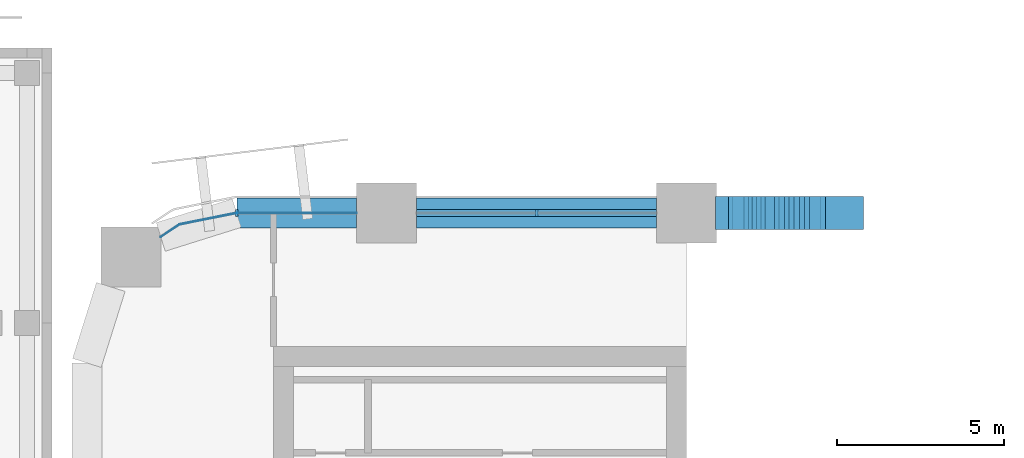
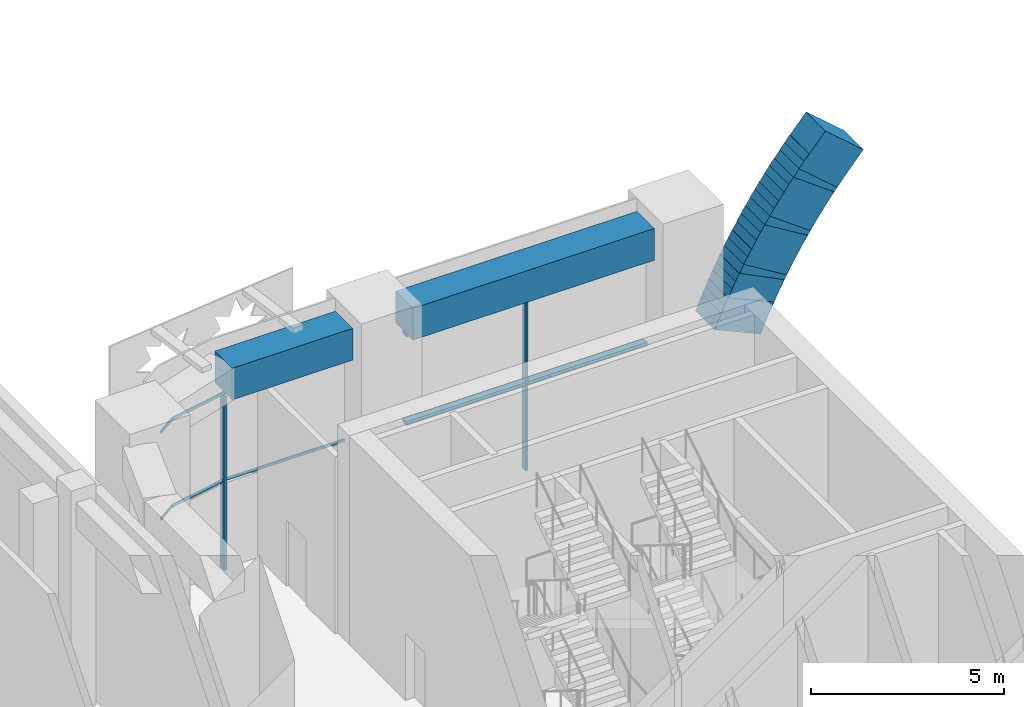
# One storey, part 8 of 42: 14 members, 2 beams, 2 elements without a shape of their own.
"""IFC4 building model written with IfcOpenShell, lengths in metres."""

import ifcopenshell
import ifcopenshell.guid

model = None  # the IFC model being written
_history = None  # IfcOwnerHistory: only IFC2X3 demands one
_inside = {}  # id of a spatial element -> (the spatial element, [elements in it])
_under = {}  # id of a project, library or spatial element -> (it, [spatial elements below it])
_declared = {}  # id of a project -> (the project, [libraries it declares])
_typed = {}  # id of a type object -> (the type object, [elements of that type])
_made_of = {}  # id of a material, layer set ... -> (it, [elements and type objects made of it])


def new_model(schema):
    """Start an empty IFC model of exactly this schema.

    Asked for "IFC4X3", IfcOpenShell would pick the latest addendum, in which some entities
    have other attributes; the version numbers below select the first issue.
    IFC2X3 requires an IfcOwnerHistory on every rooted entity: one is made here for all.
    """
    global model, _history
    if schema == "IFC4X3":
        model = ifcopenshell.file(schema_version=(4, 3, 0, 0))
    else:
        model = ifcopenshell.file(schema=schema)
    _inside.clear()
    _under.clear()
    _declared.clear()
    _typed.clear()
    _made_of.clear()
    _history = None
    if model.schema == "IFC2X3":
        org = make("IfcOrganization", Name="unknown")
        user = make(
            "IfcPersonAndOrganization",
            ThePerson=make("IfcPerson", FamilyName="unknown"),
            TheOrganization=org,
        )
        app = make(
            "IfcApplication",
            ApplicationDeveloper=org,
            Version="unknown",
            ApplicationFullName="unknown",
            ApplicationIdentifier="unknown",
        )
        _history = make(
            "IfcOwnerHistory",
            OwningUser=user,
            OwningApplication=app,
            ChangeAction="ADDED",
            CreationDate=0,
        )
    return model


def make(cls, **values):
    """One entity of the class cls with the attributes given. An attribute that is None is left unset."""
    return model.create_entity(
        cls, **{name: value for name, value in values.items() if value is not None}
    )


def rooted(cls, **values):
    """An entity with a GlobalId (a new one), such as an element, a storey or a relation."""
    return make(cls, GlobalId=ifcopenshell.guid.new(), OwnerHistory=_history, **values)


def si_unit(unit_type, name, prefix=None):
    """IfcSIUnit, for example si_unit("LENGTHUNIT", "METRE", prefix="MILLI")."""
    return make("IfcSIUnit", UnitType=unit_type, Prefix=prefix, Name=name)


def assignment(units):
    """IfcUnitAssignment: the units of a project."""
    return None if units is None else make("IfcUnitAssignment", Units=units)


def point(xyz):
    """IfcCartesianPoint."""
    return None if xyz is None else make("IfcCartesianPoint", Coordinates=xyz)


def direction(xyz):
    """IfcDirection."""
    return None if xyz is None else make("IfcDirection", DirectionRatios=xyz)


def frame(location, z_axis=None, x_axis=None):
    """IfcAxis2Placement3D, a coordinate frame: its origin and axes. An axis left out is left unset."""
    return make(
        "IfcAxis2Placement3D",
        Location=point(location),
        Axis=direction(z_axis),
        RefDirection=direction(x_axis),
    )


def frame_2d(location, x_axis=None):
    """IfcAxis2Placement2D, a coordinate frame in the plane: its origin and x axis."""
    return make(
        "IfcAxis2Placement2D", Location=point(location), RefDirection=direction(x_axis)
    )


def origin():
    """The frame at (0, 0, 0) with its axes left unset."""
    return frame((0.0, 0.0, 0.0))


def origin_2d():
    """The frame at (0, 0) in the plane with its x axis left unset."""
    return frame_2d((0.0, 0.0))


def place(relative_to, where):
    """IfcLocalPlacement: puts the frame where relative to a parent placement (None: the world)."""
    return make(
        "IfcLocalPlacement", PlacementRelTo=relative_to, RelativePlacement=where
    )


def context(
    kind, dimensions, precision=None, world=None, true_north=None, identifier=None
):
    """IfcGeometricRepresentationContext, for example the 3D "Model" context."""
    return make(
        "IfcGeometricRepresentationContext",
        ContextIdentifier=identifier,
        ContextType=kind,
        CoordinateSpaceDimension=dimensions,
        Precision=precision,
        WorldCoordinateSystem=world,
        TrueNorth=true_north,
    )


def subcontext(parent, identifier, kind, view, scale=None):
    """IfcGeometricRepresentationSubContext, for example "Body" below "Model"."""
    return make(
        "IfcGeometricRepresentationSubContext",
        ContextIdentifier=identifier,
        ContextType=kind,
        ParentContext=parent,
        TargetScale=scale,
        TargetView=view,
    )


def project(units=None, contexts=None):
    """IfcProject with its units and contexts."""
    return rooted(
        "IfcProject",
        Name="project",
        RepresentationContexts=contexts,
        UnitsInContext=assignment(units),
    )


def spatial(cls, under=None, at=None, **own):
    """A site, building, storey or space (cls), placed at a placement, below another one or the project."""
    s = rooted(cls, ObjectPlacement=at, **own)
    if under is not None:
        _under.setdefault(under.id(), (under, []))[1].append(s)
    return s


def polyline(points):
    """IfcPolyline through the points."""
    return make("IfcPolyline", Points=[point(p) for p in points])


def profile(cls, at=None, kind="AREA", **sizes):
    """A parametric profile (cls). Its sizes go by their IFC names, for example OverallWidth=200.0."""
    return make(cls, ProfileType=kind, Position=at, **sizes)


def rectangle(**sizes):
    """IfcRectangleProfileDef."""
    return profile("IfcRectangleProfileDef", **sizes)


def outline(outer, holes=None, kind="AREA"):
    """IfcArbitraryClosedProfileDef: a profile drawn as a closed curve; with holes, ...WithVoids."""
    if holes is None:
        return make("IfcArbitraryClosedProfileDef", ProfileType=kind, OuterCurve=outer)
    return make(
        "IfcArbitraryProfileDefWithVoids",
        ProfileType=kind,
        OuterCurve=outer,
        InnerCurves=holes,
    )


def extrude(swept, where, along, depth):
    """IfcExtrudedAreaSolid: the profile swept, set in the frame where, extruded along a direction by depth."""
    return make(
        "IfcExtrudedAreaSolid",
        SweptArea=swept,
        Position=where,
        ExtrudedDirection=direction(along),
        Depth=depth,
    )


def shape(context_of_items, identifier, shape_type, items):
    """IfcShapeRepresentation: the items that make up one representation, for example the "Body"."""
    return make(
        "IfcShapeRepresentation",
        ContextOfItems=context_of_items,
        RepresentationIdentifier=identifier,
        RepresentationType=shape_type,
        Items=items,
    )


def material(Name=None, Category=None):
    """IfcMaterial."""
    return make("IfcMaterial", Name=Name, Category=Category)


def material_profile(
    of_material, cross_section, Name=None, Category=None, Priority=None
):
    """IfcMaterialProfile: a cross section and its material."""
    return make(
        "IfcMaterialProfile",
        Name=Name,
        Material=of_material,
        Profile=cross_section,
        Priority=Priority,
        Category=Category,
    )


def profile_set(profiles, Name=None, composite=None):
    """IfcMaterialProfileSet."""
    return make(
        "IfcMaterialProfileSet",
        Name=Name,
        MaterialProfiles=profiles,
        CompositeProfile=composite,
    )


def made_of(thing, what):
    """Note that an element or type object is made of a material, layer set ...; save() writes the relation."""
    if what is not None:
        _made_of.setdefault(what.id(), (what, []))[1].append(thing)
    return thing


def type_object(cls, material=None, **own):
    """A type object (cls), such as IfcWallType, which elements share."""
    return made_of(rooted(cls, **own), material)


def element(
    cls,
    number,
    at=None,
    inside=None,
    cuts=None,
    type_object=None,
    material=None,
    context=None,
    identifier="Body",
    shape_type=None,
    held_by="IfcProductDefinitionShape",
    body=None,
    shapes=None,
    **own,
):
    """One element of the class cls, such as IfcWall. Its Tag is "e" and its number.

    at: its placement. inside: the storey or other place that contains it. cuts: it is an
    opening in that element (IfcRelVoidsElement). A single representation is given by context,
    identifier, shape_type and body (its items); several are given by shapes. held_by: the class
    of the entity that holds the representations. save() writes the other relations.
    """
    e = rooted(cls, Tag="e%d" % number, ObjectPlacement=at, **own)
    if body is not None:
        shapes = [shape(context, identifier, shape_type, body)]
    if shapes is not None:
        e.Representation = make(held_by, Representations=shapes)
    if inside is not None:
        _inside.setdefault(inside.id(), (inside, []))[1].append(e)
    if cuts is not None:
        rooted(
            "IfcRelVoidsElement", RelatingBuildingElement=cuts, RelatedOpeningElement=e
        )
    if type_object is not None:
        _typed.setdefault(type_object.id(), (type_object, []))[1].append(e)
    return made_of(e, material)


def aggregate(whole, parts):
    """IfcRelAggregates: a whole, such as a stair, and the parts it consists of."""
    return rooted("IfcRelAggregates", RelatingObject=whole, RelatedObjects=parts)


def save(model, path):
    """Write the relations noted so far, then the file.

    IfcRelAggregates (storeys below a building ...), IfcRelContainedInSpatialStructure (elements
    in a storey), IfcRelDefinesByType, IfcRelAssociatesMaterial and IfcRelDeclares: one each for
    every whole, place, type object, material and project.
    """
    for whole, parts in _under.values():
        aggregate(whole, parts)
    for where, things in _inside.values():
        rooted(
            "IfcRelContainedInSpatialStructure",
            RelatedElements=things,
            RelatingStructure=where,
        )
    for kind, things in _typed.values():
        rooted("IfcRelDefinesByType", RelatedObjects=things, RelatingType=kind)
    for what, things in _made_of.values():
        rooted("IfcRelAssociatesMaterial", RelatedObjects=things, RelatingMaterial=what)
    for by, libraries in _declared.values():
        rooted("IfcRelDeclares", RelatingContext=by, RelatedDefinitions=libraries)
    model.write(path)


model = new_model("IFC4")

# Units and contexts
model_context = context("Model", 3, precision=1e-05, world=origin(), true_north=direction((0.0, 1.0)))
body_context = subcontext(model_context, "Body", "Model", "MODEL_VIEW")
ifc_project = project(units=[si_unit("LENGTHUNIT", "METRE"), si_unit("AREAUNIT", "SQUARE_METRE"), si_unit("VOLUMEUNIT", "CUBIC_METRE"), si_unit("PLANEANGLEUNIT", "RADIAN"), si_unit("MASSUNIT", "GRAM", prefix="KILO")], contexts=[model_context])

# Site, building, storey
site_placement = place(None, origin())
site = spatial("IfcSite", under=ifc_project, at=site_placement, CompositionType="ELEMENT")
building_placement = place(site_placement, origin())
building = spatial("IfcBuilding", under=site, at=building_placement, Name="Tessera Arch", CompositionType="ELEMENT")
storey_placement = place(building_placement, frame((0.0, 0.0, 14.0)))
storey = spatial("IfcBuildingStorey", under=building, at=storey_placement, Name="L02", CompositionType="ELEMENT", Elevation=14.0)

# Members
ifc_material_1 = material(Name="Concrete C80/95", Category="concrete")
ifc_material_profile_1 = material_profile(ifc_material_1, rectangle(XDim=1.0, YDim=1.5, at=origin_2d()), Name="RC 1000x1500")
ifc_profile_set_1 = profile_set([ifc_material_profile_1], Name="Concrete C80/95")
member_type_1 = type_object("IfcMemberType", Name="Arch rib RC 1000x1500", PredefinedType="MEMBER", material=ifc_profile_set_1)
member_1_placement = place(storey_placement, frame((19.561279296875, 54.0, 2.496826171875), z_axis=(0.407251614669, 0.0, 0.913316003555), x_axis=(0.0, 1.0, 0.0)))
element("IfcMember", 1, at=member_1_placement, inside=storey, type_object=member_type_1, Name="Arch rib C segment 1", PredefinedType="MEMBER", context=body_context, shape_type="SweptSolid", body=[
    extrude(rectangle(XDim=1.0, YDim=1.5, at=origin_2d()), origin(), (0.0, 0.0, 1.0), 0.9560546875),
])
for number, where, z_axis, x_axis, name in (
    (2, (19.737548828125, 54.0, 2.91796875), (0.445350252259, 0.0, 0.895356438974), (0.0, 1.0, 0.0), "Arch rib C segment 2"),
    (3, (20.042724609375, 54.0, 3.554931640625), (0.482563558222, 0.0, 0.875860954876), (0.0, 1.0, 0.0), "Arch rib C segment 3"),
    (4, (20.374267578125, 54.0, 4.1787109375), (0.519221099191, 0.0, 0.854639953522), (0.0, 1.0, 0.0), "Arch rib C segment 4"),
    (5, (20.73193359375, 54.0, 4.787841796875), (0.554840327076, 0.0, 0.831956856724), (0.0, 1.0, 0.0), "Arch rib C segment 5"),
    (6, (21.114990234375, 54.0, 5.38134765625), (0.589422662989, 0.0, 0.807824810436), (0.0, 1.0, 0.0), "Arch rib C segment 6"),
    (7, (21.522705078125, 54.0, 5.958251953125), (0.622841902494, 0.0, 0.782347726077), (0.0, 1.0, 0.0), "Arch rib C segment 7"),
    (8, (21.95458984375, 54.0, 6.517333984375), (0.655231032933, 0.0, 0.755428549554), (0.0, 1.0, 0.0), "Arch rib C segment 8"),
):
    element("IfcMember", number, at=place(storey_placement, frame(where, z_axis=z_axis, x_axis=x_axis)), inside=storey, type_object=member_type_1, Name=name, PredefinedType="MEMBER", context=body_context, shape_type="SweptSolid", body=[
        extrude(rectangle(XDim=1.0, YDim=1.5, at=origin_2d()), origin(), (0.0, 0.0, 1.0), 1.2060546875),
    ])

# Curtain wall, members
ifc_material_2 = material(Name="CW2 curtain wall")
curtain_wall_type_1 = type_object("IfcCurtainWallType", Name="CW2 curtain wall", PredefinedType="NOTDEFINED", material=ifc_material_2)
curtain_wall_1_placement = place(storey_placement, origin())
curtain_wall_1 = element("IfcCurtainWall", 9, at=curtain_wall_1_placement, inside=storey, type_object=curtain_wall_type_1, Name="CW2 curtain wall N54.0/1 L02", PredefinedType="NOTDEFINED")
ifc_material_3 = material(Name="Anodised aluminium pale metal", Category="aluminium")
ifc_material_profile_2 = material_profile(ifc_material_3, rectangle(XDim=0.199951171875, YDim=0.080078125, at=origin_2d()), Name="AL 80x200")
ifc_profile_set_2 = profile_set([ifc_material_profile_2], Name="Anodised aluminium pale metal")
member_type_2 = type_object("IfcMemberType", Name="CW2 mullion", PredefinedType="MULLION", material=ifc_profile_set_2)
member_2_placement = place(storey_placement, frame((4.5, 54.0, 0.0), z_axis=(0.0, 0.0, 1.0), x_axis=(0.0, -1.0, 0.0)))
member_2 = element("IfcMember", 10, at=member_2_placement, type_object=member_type_2, Name="CW2 mullion N54.0/1 1", PredefinedType="MULLION", context=body_context, shape_type="SweptSolid", body=[
    extrude(rectangle(XDim=0.199951171875, YDim=0.080078125, at=origin_2d()), origin(), (0.0, 0.0, 1.0), 5.489990234375),
])
ifc_material_4 = material(Name="Anodised aluminium pale metal", Category="aluminium")
ifc_material_profile_3 = material_profile(ifc_material_4, rectangle(XDim=0.199951171875, YDim=0.10009765625, at=origin_2d()), Name="AL 200x100")
ifc_profile_set_3 = profile_set([ifc_material_profile_3], Name="Anodised aluminium pale metal")
member_type_3 = type_object("IfcMemberType", Name="CW2 transom", PredefinedType="USERDEFINED", material=ifc_profile_set_3)
member_3_placement = place(storey_placement, frame((0.0, 0.0, 2.7451171875)))
member_3 = element("IfcMember", 11, at=member_3_placement, type_object=member_type_3, Name="CW2 transom N54.0/1 1", ObjectType="TRANSOM", PredefinedType="USERDEFINED", context=body_context, shape_type="SweptSolid", body=[
    extrude(outline(polyline([(4.5009765625, 53.989990234375), (8.10009765625, 53.989990234375), (8.10009765625, 54.010009765625), (4.4990234375, 54.010009765625), (2.77392578125, 53.6669921875), (2.21240234375, 53.29150390625), (2.2236328125, 53.27490234375), (2.78173828125, 53.648193359375), (4.5009765625, 53.989990234375)])), origin(), (0.0, 0.0, 1.0), 0.099853515625),
])
member_4_placement = place(storey_placement, frame((0.0, 0.0, 5.489990234375)))
member_4 = element("IfcMember", 12, at=member_4_placement, type_object=member_type_3, Name="CW2 transom N54.0/1 2", ObjectType="TRANSOM", PredefinedType="USERDEFINED", context=body_context, shape_type="SweptSolid", body=[
    extrude(outline(polyline([(4.5009765625, 53.989990234375), (8.10009765625, 53.989990234375), (8.10009765625, 54.010009765625), (4.4990234375, 54.010009765625), (2.77392578125, 53.6669921875), (2.21240234375, 53.29150390625), (2.2236328125, 53.27490234375), (2.78173828125, 53.648193359375), (4.5009765625, 53.989990234375)])), origin(), (0.0, 0.0, 1.0), 0.10009765625),
])
aggregate(curtain_wall_1, [member_2, member_3, member_4])

ifc_material_5 = material(Name="CW6 curtain wall")
curtain_wall_type_2 = type_object("IfcCurtainWallType", Name="CW6 curtain wall", PredefinedType="NOTDEFINED", material=ifc_material_5)
curtain_wall_2_placement = place(storey_placement, origin())
curtain_wall_2 = element("IfcCurtainWall", 13, at=curtain_wall_2_placement, inside=storey, type_object=curtain_wall_type_2, Name="CW6 curtain wall N54.0/0 L02", PredefinedType="NOTDEFINED")
ifc_material_6 = material(Name="Anodised aluminium pale metal", Category="aluminium")
ifc_material_profile_4 = material_profile(ifc_material_6, rectangle(XDim=0.199951171875, YDim=0.070068359375, at=origin_2d()), Name="AL 70x200")
ifc_profile_set_4 = profile_set([ifc_material_profile_4], Name="Anodised aluminium pale metal")
member_type_4 = type_object("IfcMemberType", Name="CW6 mullion", PredefinedType="MULLION", material=ifc_profile_set_4)
member_5_placement = place(storey_placement, frame((13.5, 54.0, 0.0), z_axis=(0.0, 0.0, 1.0), x_axis=(0.0, -1.0, 0.0)))
member_5 = element("IfcMember", 14, at=member_5_placement, type_object=member_type_4, Name="CW6 mullion N54.0/0 1", PredefinedType="MULLION", context=body_context, shape_type="SweptSolid", body=[
    extrude(rectangle(XDim=0.199951171875, YDim=0.070068359375, at=origin_2d()), origin(), (0.0, 0.0, 1.0), 5.469970703125),
])
ifc_material_7 = material(Name="Anodised aluminium pale metal", Category="aluminium")
ifc_material_profile_5 = material_profile(ifc_material_7, rectangle(XDim=0.199951171875, YDim=0.1201171875, at=origin_2d()), Name="AL 200x120")
ifc_profile_set_5 = profile_set([ifc_material_profile_5], Name="Anodised aluminium pale metal")
member_type_5 = type_object("IfcMemberType", Name="CW6 transom", PredefinedType="USERDEFINED", material=ifc_profile_set_5)
member_6_placement = place(storey_placement, frame((17.10009765625, 54.0, 5.530029296875), z_axis=(-1.0, 0.0, 0.0), x_axis=(0.0, -1.0, 0.0)))
member_6 = element("IfcMember", 15, at=member_6_placement, type_object=member_type_5, Name="CW6 transom N54.0/0 1.1", ObjectType="TRANSOM", PredefinedType="USERDEFINED", context=body_context, shape_type="SweptSolid", body=[
    extrude(rectangle(XDim=0.199951171875, YDim=0.1201171875, at=origin_2d()), origin(), (0.0, 0.0, 1.0), 7.2001953125),
])
member_7_placement = place(storey_placement, frame((17.10009765625, 54.0, 2.735107421875), z_axis=(-1.0, 0.0, 0.0), x_axis=(0.0, -1.0, 0.0)))
member_7 = element("IfcMember", 16, at=member_7_placement, type_object=member_type_5, Name="CW6 transom N54.0/0 2.1", ObjectType="TRANSOM", PredefinedType="USERDEFINED", context=body_context, shape_type="SweptSolid", body=[
    extrude(rectangle(XDim=0.199951171875, YDim=0.1201171875, at=origin_2d()), origin(), (0.0, 0.0, 1.0), 7.2001953125),
])
aggregate(curtain_wall_2, [member_5, member_6, member_7])

# Beams
ifc_material_8 = material(Name="Concrete C80/95", Category="concrete")
ifc_material_profile_6 = material_profile(ifc_material_8, rectangle(XDim=0.89990234375, YDim=1.0, at=origin_2d()), Name="RC spandrel beam 900 x 1000 Concrete C80/95")
ifc_profile_set_6 = profile_set([ifc_material_profile_6], Name="Concrete C80/95")
beam_type = type_object("IfcBeamType", Name="RC spandrel beam 900 x 1000 Concrete C80/95", PredefinedType="BEAM", material=ifc_profile_set_6)
beam_1_placement = place(storey_placement, frame((17.10009765625, 54.0, 6.090087890625), z_axis=(-1.0, 0.0, 0.0), x_axis=(0.0, -1.0, 0.0)))
element("IfcBeam", 17, at=beam_1_placement, inside=storey, type_object=beam_type, Name="Spandrel beam L02 N54.0/0", PredefinedType="BEAM", context=body_context, shape_type="SweptSolid", body=[
    extrude(rectangle(XDim=0.89990234375, YDim=1.0, at=origin_2d()), origin(), (0.0, 0.0, 1.0), 7.2001953125),
])
beam_2_placement = place(storey_placement, frame((8.10009765625, 54.0, 6.090087890625), z_axis=(-1.0, 0.0, 0.0), x_axis=(0.0, -1.0, 0.0)))
element("IfcBeam", 18, at=beam_2_placement, inside=storey, type_object=beam_type, Name="Spandrel beam L02 N54.0/1.1", PredefinedType="BEAM", context=body_context, shape_type="SweptSolid", body=[
    extrude(rectangle(XDim=0.89990234375, YDim=1.0, at=origin_2d()), origin(), (0.0, 0.0, 1.0), 3.60009765625),
])

save(model, "model.ifc")
